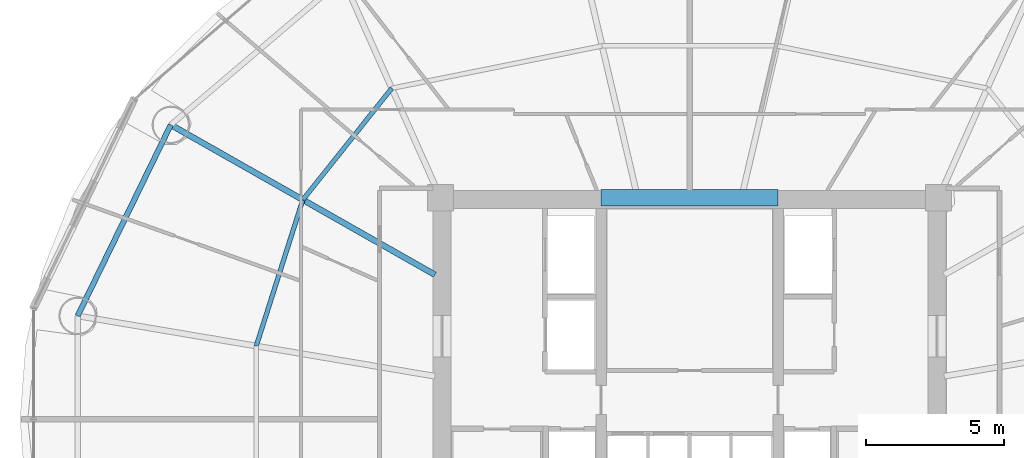
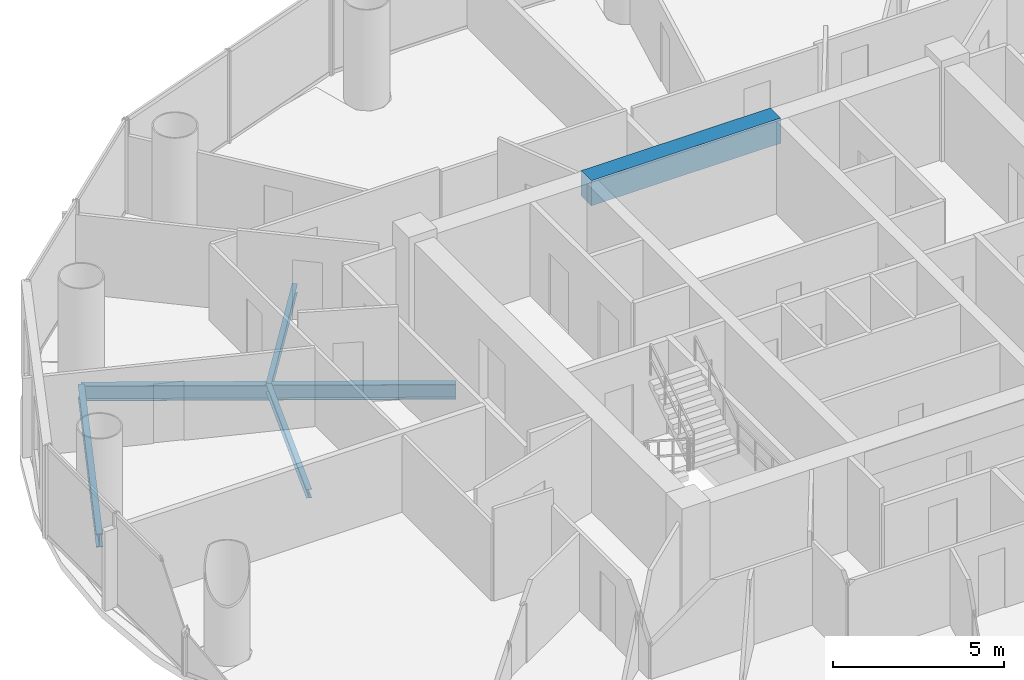
# One storey, part 8 of 27: 5 beams.
"""IFC4 building model written with IfcOpenShell, lengths in metres."""

from ifc_helpers import new_model, si_unit, direction, frame, origin, origin_2d, place, context, subcontext, project, spatial, rectangle, i_section, extrude, material, material_profile, profile_set, type_object, element, save


model = new_model("IFC4")

# Units and contexts
model_context = context("Model", 3, precision=1e-05, world=origin(), true_north=direction((-0.2419218956, 0.970295726276)))
body_context = subcontext(model_context, "Body", "Model", "MODEL_VIEW")
ifc_project = project(units=[si_unit("LENGTHUNIT", "METRE"), si_unit("AREAUNIT", "SQUARE_METRE"), si_unit("VOLUMEUNIT", "CUBIC_METRE"), si_unit("PLANEANGLEUNIT", "RADIAN"), si_unit("MASSUNIT", "GRAM", prefix="KILO")], contexts=[model_context])

# Site, building, storey
site_placement = place(None, origin())
site = spatial("IfcSite", under=ifc_project, at=site_placement, CompositionType="ELEMENT")
building_placement = place(site_placement, origin())
building = spatial("IfcBuilding", under=site, at=building_placement, Name="Cobrevalo Terracotta Tower", CompositionType="ELEMENT")
storey_placement = place(building_placement, frame((0.0, 0.0, 157.0)))
storey = spatial("IfcBuildingStorey", under=building, at=storey_placement, Name="L41", CompositionType="ELEMENT", Elevation=157.0)

# Beams
ifc_material_1 = material(Name="Concrete C60", Category="concrete")
ifc_material_profile_1 = material_profile(ifc_material_1, rectangle(XDim=0.60009765625, YDim=0.89990234375, at=origin_2d()), Name="RC CB 600x900")
ifc_profile_set_1 = profile_set([ifc_material_profile_1], Name="Concrete C60")
beam_type_1 = type_object("IfcBeamType", Name="Structural Beam RC CB 600x900 (Concrete C60)", PredefinedType="BEAM", material=ifc_profile_set_1)
beam_1_placement = place(storey_placement, frame((34.800048828125, 34.800048828125, 2.8798828125), z_axis=(1.0, 0.0, 0.0), x_axis=(0.0, 1.0, 0.0)))
element("IfcBeam", 1, at=beam_1_placement, inside=storey, type_object=beam_type_1, Name="L41 core coupling beam 2", PredefinedType="BEAM", context=body_context, shape_type="SweptSolid", body=[
    extrude(rectangle(XDim=0.60009765625, YDim=0.89990234375, at=origin_2d()), origin(), (0.0, 0.0, 1.0), 6.39990234375),
])
ifc_material_2 = material(Name="Steel S355", Category="steel")
ifc_material_profile_2 = material_profile(ifc_material_2, i_section(OverallWidth=0.2109375, OverallDepth=0.5390625, WebThickness=0.01171875, FlangeThickness=0.018798828125, at=origin_2d()), Name="W 530x109")
ifc_profile_set_2 = profile_set([ifc_material_profile_2], Name="Steel S355")
beam_type_2 = type_object("IfcBeamType", Name="Structural Beam W 530x109 (Steel S355)", PredefinedType="BEAM", material=ifc_profile_set_2)
beam_2_placement = place(storey_placement, frame((19.250244140625, 37.439208984375, -0.53955078125), z_axis=(0.869734177783, -0.493520475762, 0.0), x_axis=(0.493520475762, 0.869734177783, 0.0)))
element("IfcBeam", 2, at=beam_2_placement, inside=storey, type_object=beam_type_2, Name="L41 radial floor girder 07", PredefinedType="BEAM", context=body_context, shape_type="SweptSolid", body=[
    extrude(i_section(OverallWidth=0.2109375, OverallDepth=0.5390625, WebThickness=0.01171875, FlangeThickness=0.018798828125, at=origin_2d()), origin(), (0.0, 0.0, 1.0), 10.974365234375),
])
ifc_material_profile_3 = material_profile(ifc_material_2, i_section(OverallWidth=0.1650390625, OverallDepth=0.31005859375, WebThickness=0.005859375, FlangeThickness=0.009765625, at=origin_2d()), Name="W 310x38.7")
ifc_profile_set_3 = profile_set([ifc_material_profile_3], Name="Steel S355")
beam_type_3 = type_object("IfcBeamType", Name="Structural Joist W 310x38.7 (Steel S355)", PredefinedType="JOIST", material=ifc_profile_set_3)
beam_3_placement = place(storey_placement, frame((27.23583984375, 38.76123046875, -0.425048828125), z_axis=(-0.62340602772, -0.781898282773, 0.0), x_axis=(0.781898282773, -0.62340602772, 0.0)))
element("IfcBeam", 3, at=beam_3_placement, inside=storey, type_object=beam_type_3, Name="L41 circumferential secondary floor joist 06", PredefinedType="JOIST", context=body_context, shape_type="SweptSolid", body=[
    extrude(i_section(OverallWidth=0.1650390625, OverallDepth=0.31005859375, WebThickness=0.005859375, FlangeThickness=0.009765625, at=origin_2d()), origin(), (0.0, 0.0, 1.0), 5.154052734375),
])
beam_4_placement = place(storey_placement, frame((24.022705078125, 34.731201171875, -0.425048828125), z_axis=(-0.303497928386, -0.952832098255, 0.0), x_axis=(0.952832098255, -0.303497928386, 0.0)))
element("IfcBeam", 4, at=beam_4_placement, inside=storey, type_object=beam_type_3, Name="L41 circumferential secondary floor joist 07", PredefinedType="JOIST", context=body_context, shape_type="SweptSolid", body=[
    extrude(i_section(OverallWidth=0.1650390625, OverallDepth=0.31005859375, WebThickness=0.005859375, FlangeThickness=0.009765625, at=origin_2d()), origin(), (0.0, 0.0, 1.0), 5.54736328125),
])
ifc_material_profile_4 = material_profile(ifc_material_2, i_section(OverallWidth=0.194091796875, OverallDepth=0.468994140625, WebThickness=0.011474609375, FlangeThickness=0.0205078125, at=origin_2d()), Name="W 460x106")
ifc_profile_set_4 = profile_set([ifc_material_profile_4], Name="Steel S355")
beam_type_4 = type_object("IfcBeamType", Name="Structural Spandrel W 460x106 (Steel S355)", PredefinedType="SPANDREL", material=ifc_profile_set_4)
beam_5_placement = place(storey_placement, frame((19.250244140625, 37.439208984375, -0.50439453125), z_axis=(-0.438367894028, -0.89879563277, 0.0), x_axis=(0.89879563277, -0.438367894028, 0.0)))
element("IfcBeam", 5, at=beam_5_placement, inside=storey, type_object=beam_type_4, Name="L41 perimeter ring spandrel 07", PredefinedType="SPANDREL", context=body_context, shape_type="SweptSolid", body=[
    extrude(i_section(OverallWidth=0.194091796875, OverallDepth=0.468994140625, WebThickness=0.011474609375, FlangeThickness=0.0205078125, at=origin_2d()), origin(), (0.0, 0.0, 1.0), 7.6806640625),
])

save(model, "model.ifc")
